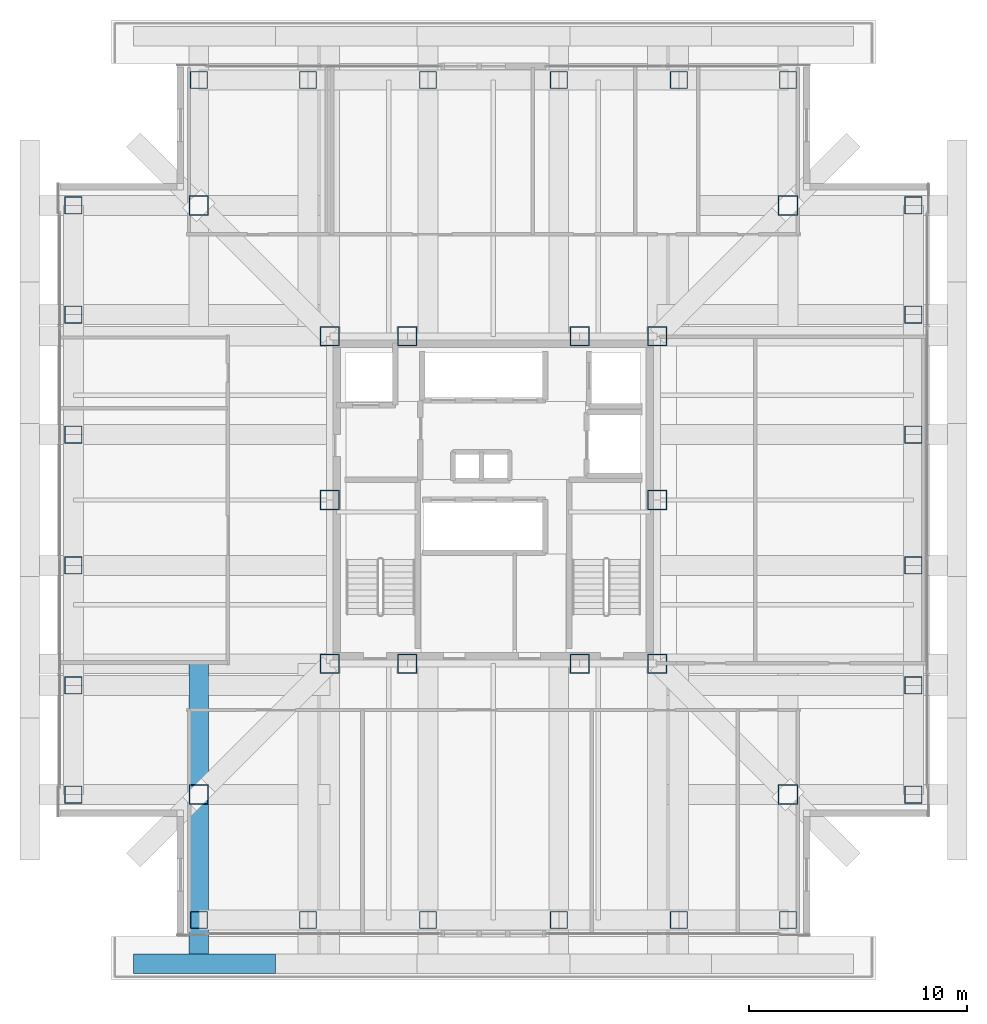
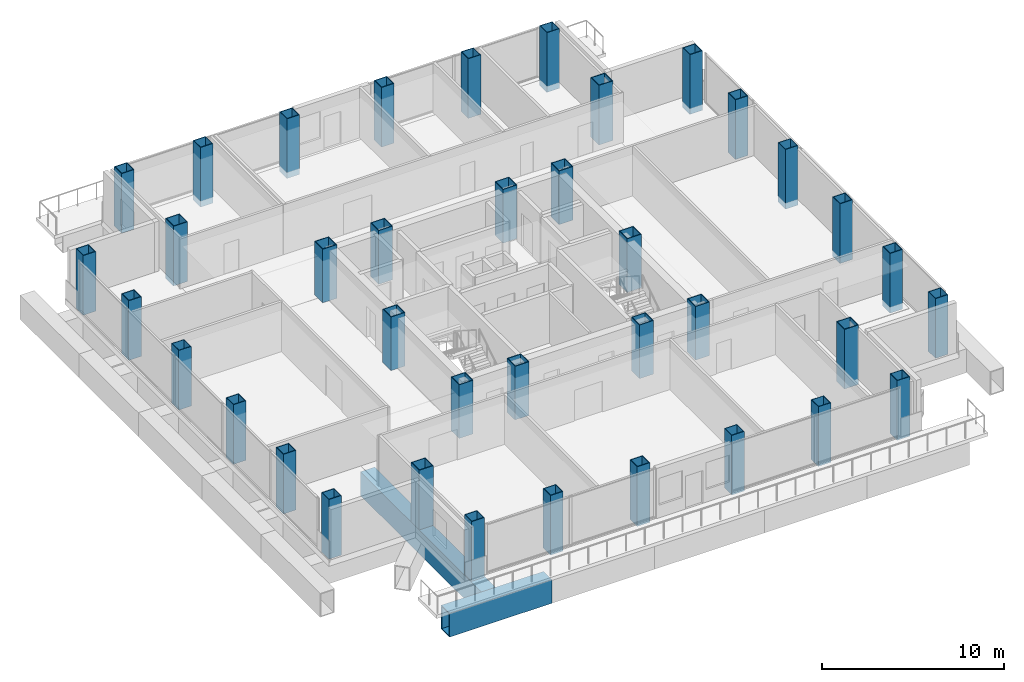
# One storey, part 1 of 14: 38 columns, 2 beams.
"""IFC4 building model written with IfcOpenShell, lengths in metres."""

import ifcopenshell
import ifcopenshell.guid

model = None  # the IFC model being written
_history = None  # IfcOwnerHistory: only IFC2X3 demands one
_inside = {}  # id of a spatial element -> (the spatial element, [elements in it])
_under = {}  # id of a project, library or spatial element -> (it, [spatial elements below it])
_declared = {}  # id of a project -> (the project, [libraries it declares])
_typed = {}  # id of a type object -> (the type object, [elements of that type])
_made_of = {}  # id of a material, layer set ... -> (it, [elements and type objects made of it])


def new_model(schema):
    """Start an empty IFC model of exactly this schema.

    Asked for "IFC4X3", IfcOpenShell would pick the latest addendum, in which some entities
    have other attributes; the version numbers below select the first issue.
    IFC2X3 requires an IfcOwnerHistory on every rooted entity: one is made here for all.
    """
    global model, _history
    if schema == "IFC4X3":
        model = ifcopenshell.file(schema_version=(4, 3, 0, 0))
    else:
        model = ifcopenshell.file(schema=schema)
    _inside.clear()
    _under.clear()
    _declared.clear()
    _typed.clear()
    _made_of.clear()
    _history = None
    if model.schema == "IFC2X3":
        org = make("IfcOrganization", Name="unknown")
        user = make(
            "IfcPersonAndOrganization",
            ThePerson=make("IfcPerson", FamilyName="unknown"),
            TheOrganization=org,
        )
        app = make(
            "IfcApplication",
            ApplicationDeveloper=org,
            Version="unknown",
            ApplicationFullName="unknown",
            ApplicationIdentifier="unknown",
        )
        _history = make(
            "IfcOwnerHistory",
            OwningUser=user,
            OwningApplication=app,
            ChangeAction="ADDED",
            CreationDate=0,
        )
    return model


def make(cls, **values):
    """One entity of the class cls with the attributes given. An attribute that is None is left unset."""
    return model.create_entity(
        cls, **{name: value for name, value in values.items() if value is not None}
    )


def rooted(cls, **values):
    """An entity with a GlobalId (a new one), such as an element, a storey or a relation."""
    return make(cls, GlobalId=ifcopenshell.guid.new(), OwnerHistory=_history, **values)


def si_unit(unit_type, name, prefix=None):
    """IfcSIUnit, for example si_unit("LENGTHUNIT", "METRE", prefix="MILLI")."""
    return make("IfcSIUnit", UnitType=unit_type, Prefix=prefix, Name=name)


def assignment(units):
    """IfcUnitAssignment: the units of a project."""
    return None if units is None else make("IfcUnitAssignment", Units=units)


def point(xyz):
    """IfcCartesianPoint."""
    return None if xyz is None else make("IfcCartesianPoint", Coordinates=xyz)


def direction(xyz):
    """IfcDirection."""
    return None if xyz is None else make("IfcDirection", DirectionRatios=xyz)


def frame(location, z_axis=None, x_axis=None):
    """IfcAxis2Placement3D, a coordinate frame: its origin and axes. An axis left out is left unset."""
    return make(
        "IfcAxis2Placement3D",
        Location=point(location),
        Axis=direction(z_axis),
        RefDirection=direction(x_axis),
    )


def frame_2d(location, x_axis=None):
    """IfcAxis2Placement2D, a coordinate frame in the plane: its origin and x axis."""
    return make(
        "IfcAxis2Placement2D", Location=point(location), RefDirection=direction(x_axis)
    )


def origin():
    """The frame at (0, 0, 0) with its axes left unset."""
    return frame((0.0, 0.0, 0.0))


def origin_2d():
    """The frame at (0, 0) in the plane with its x axis left unset."""
    return frame_2d((0.0, 0.0))


def place(relative_to, where):
    """IfcLocalPlacement: puts the frame where relative to a parent placement (None: the world)."""
    return make(
        "IfcLocalPlacement", PlacementRelTo=relative_to, RelativePlacement=where
    )


def context(
    kind, dimensions, precision=None, world=None, true_north=None, identifier=None
):
    """IfcGeometricRepresentationContext, for example the 3D "Model" context."""
    return make(
        "IfcGeometricRepresentationContext",
        ContextIdentifier=identifier,
        ContextType=kind,
        CoordinateSpaceDimension=dimensions,
        Precision=precision,
        WorldCoordinateSystem=world,
        TrueNorth=true_north,
    )


def subcontext(parent, identifier, kind, view, scale=None):
    """IfcGeometricRepresentationSubContext, for example "Body" below "Model"."""
    return make(
        "IfcGeometricRepresentationSubContext",
        ContextIdentifier=identifier,
        ContextType=kind,
        ParentContext=parent,
        TargetScale=scale,
        TargetView=view,
    )


def project(units=None, contexts=None):
    """IfcProject with its units and contexts."""
    return rooted(
        "IfcProject",
        Name="project",
        RepresentationContexts=contexts,
        UnitsInContext=assignment(units),
    )


def spatial(cls, under=None, at=None, **own):
    """A site, building, storey or space (cls), placed at a placement, below another one or the project."""
    s = rooted(cls, ObjectPlacement=at, **own)
    if under is not None:
        _under.setdefault(under.id(), (under, []))[1].append(s)
    return s


def profile(cls, at=None, kind="AREA", **sizes):
    """A parametric profile (cls). Its sizes go by their IFC names, for example OverallWidth=200.0."""
    return make(cls, ProfileType=kind, Position=at, **sizes)


def hollow_rectangle(**sizes):
    """IfcRectangleHollowProfileDef."""
    return profile("IfcRectangleHollowProfileDef", **sizes)


def extrude(swept, where, along, depth):
    """IfcExtrudedAreaSolid: the profile swept, set in the frame where, extruded along a direction by depth."""
    return make(
        "IfcExtrudedAreaSolid",
        SweptArea=swept,
        Position=where,
        ExtrudedDirection=direction(along),
        Depth=depth,
    )


def shape(context_of_items, identifier, shape_type, items):
    """IfcShapeRepresentation: the items that make up one representation, for example the "Body"."""
    return make(
        "IfcShapeRepresentation",
        ContextOfItems=context_of_items,
        RepresentationIdentifier=identifier,
        RepresentationType=shape_type,
        Items=items,
    )


def material(Name=None, Category=None):
    """IfcMaterial."""
    return make("IfcMaterial", Name=Name, Category=Category)


def material_profile(
    of_material, cross_section, Name=None, Category=None, Priority=None
):
    """IfcMaterialProfile: a cross section and its material."""
    return make(
        "IfcMaterialProfile",
        Name=Name,
        Material=of_material,
        Profile=cross_section,
        Priority=Priority,
        Category=Category,
    )


def profile_set(profiles, Name=None, composite=None):
    """IfcMaterialProfileSet."""
    return make(
        "IfcMaterialProfileSet",
        Name=Name,
        MaterialProfiles=profiles,
        CompositeProfile=composite,
    )


def made_of(thing, what):
    """Note that an element or type object is made of a material, layer set ...; save() writes the relation."""
    if what is not None:
        _made_of.setdefault(what.id(), (what, []))[1].append(thing)
    return thing


def type_object(cls, material=None, **own):
    """A type object (cls), such as IfcWallType, which elements share."""
    return made_of(rooted(cls, **own), material)


def element(
    cls,
    number,
    at=None,
    inside=None,
    cuts=None,
    type_object=None,
    material=None,
    context=None,
    identifier="Body",
    shape_type=None,
    held_by="IfcProductDefinitionShape",
    body=None,
    shapes=None,
    **own,
):
    """One element of the class cls, such as IfcWall. Its Tag is "e" and its number.

    at: its placement. inside: the storey or other place that contains it. cuts: it is an
    opening in that element (IfcRelVoidsElement). A single representation is given by context,
    identifier, shape_type and body (its items); several are given by shapes. held_by: the class
    of the entity that holds the representations. save() writes the other relations.
    """
    e = rooted(cls, Tag="e%d" % number, ObjectPlacement=at, **own)
    if body is not None:
        shapes = [shape(context, identifier, shape_type, body)]
    if shapes is not None:
        e.Representation = make(held_by, Representations=shapes)
    if inside is not None:
        _inside.setdefault(inside.id(), (inside, []))[1].append(e)
    if cuts is not None:
        rooted(
            "IfcRelVoidsElement", RelatingBuildingElement=cuts, RelatedOpeningElement=e
        )
    if type_object is not None:
        _typed.setdefault(type_object.id(), (type_object, []))[1].append(e)
    return made_of(e, material)


def aggregate(whole, parts):
    """IfcRelAggregates: a whole, such as a stair, and the parts it consists of."""
    return rooted("IfcRelAggregates", RelatingObject=whole, RelatedObjects=parts)


def save(model, path):
    """Write the relations noted so far, then the file.

    IfcRelAggregates (storeys below a building ...), IfcRelContainedInSpatialStructure (elements
    in a storey), IfcRelDefinesByType, IfcRelAssociatesMaterial and IfcRelDeclares: one each for
    every whole, place, type object, material and project.
    """
    for whole, parts in _under.values():
        aggregate(whole, parts)
    for where, things in _inside.values():
        rooted(
            "IfcRelContainedInSpatialStructure",
            RelatedElements=things,
            RelatingStructure=where,
        )
    for kind, things in _typed.values():
        rooted("IfcRelDefinesByType", RelatedObjects=things, RelatingType=kind)
    for what, things in _made_of.values():
        rooted("IfcRelAssociatesMaterial", RelatedObjects=things, RelatingMaterial=what)
    for by, libraries in _declared.values():
        rooted("IfcRelDeclares", RelatingContext=by, RelatedDefinitions=libraries)
    model.write(path)


model = new_model("IFC4")

# Units and contexts
model_context = context("Model", 3, precision=1e-05, world=origin(), true_north=direction((0.0, 1.0)))
body_context = subcontext(model_context, "Body", "Model", "MODEL_VIEW")
ifc_project = project(units=[si_unit("LENGTHUNIT", "METRE"), si_unit("AREAUNIT", "SQUARE_METRE"), si_unit("VOLUMEUNIT", "CUBIC_METRE"), si_unit("PLANEANGLEUNIT", "RADIAN"), si_unit("MASSUNIT", "GRAM", prefix="KILO")], contexts=[model_context])

# Site, building, storey
site_placement = place(None, origin())
site = spatial("IfcSite", under=ifc_project, at=site_placement, CompositionType="ELEMENT")
building_placement = place(site_placement, origin())
building = spatial("IfcBuilding", under=site, at=building_placement, Name="Trevonay Congress Spire", CompositionType="ELEMENT")
storey_placement = place(building_placement, frame((0.0, 0.0, 166.199951171875)))
storey = spatial("IfcBuildingStorey", under=building, at=storey_placement, Name="L42", CompositionType="ELEMENT", Elevation=166.199951171875)

# Columns
ifc_material = material(Name="Steel ASTM A572 Grade 50", Category="steel")
ifc_material_profile_1 = material_profile(ifc_material, hollow_rectangle(XDim=0.89990234375, YDim=0.89990234375, WallThickness=0.044921875, at=origin_2d()), Name="BOX 900x900x45")
ifc_profile_set_1 = profile_set([ifc_material_profile_1], Name="Steel ASTM A572 Grade 50")
column_type_1 = type_object("IfcColumnType", Name="COL-CORE-BOX900", PredefinedType="COLUMN", material=ifc_profile_set_1)
for number, where, z_axis, x_axis, name in (
    (1, (-7.5, -7.5, 0.0), (0.0, 0.0, 1.0), (1.0, 0.0, 0.0), "L42 column C04 at CC-SW"),
    (2, (-3.949951171875, -7.5, 0.0), (0.0, 0.0, 1.0), (1.0, 0.0, 0.0), "L42 column C04 at CC-SMW"),
    (3, (3.949951171875, -7.5, 0.0), (0.0, 0.0, 1.0), (1.0, 0.0, 0.0), "L42 column C04 at CC-SME"),
    (4, (7.5, -7.5, 0.0), (0.0, 0.0, 1.0), (1.0, 0.0, 0.0), "L42 column C04 at CC-SE"),
    (5, (7.5, 0.0, 0.0), (0.0, 0.0, 1.0), (1.0, 0.0, 0.0), "L42 column C04 at CC-E"),
    (6, (7.5, 7.5, 0.0), (0.0, 0.0, 1.0), (1.0, 0.0, 0.0), "L42 column C04 at CC-NE"),
    (7, (3.949951171875, 7.5, 0.0), (0.0, 0.0, 1.0), (1.0, 0.0, 0.0), "L42 column C04 at CC-NME"),
    (8, (-3.949951171875, 7.5, 0.0), (0.0, 0.0, 1.0), (1.0, 0.0, 0.0), "L42 column C04 at CC-NMW"),
    (9, (-7.5, 7.5, 0.0), (0.0, 0.0, 1.0), (1.0, 0.0, 0.0), "L42 column C04 at CC-NW"),
    (10, (-7.5, 0.0, 0.0), (0.0, 0.0, 1.0), (1.0, 0.0, 0.0), "L42 column C04 at CC-W"),
):
    element("IfcColumn", number, at=place(storey_placement, frame(where, z_axis=z_axis, x_axis=x_axis)), inside=storey, type_object=column_type_1, Name=name, PredefinedType="COLUMN", context=body_context, shape_type="SweptSolid", body=[
        extrude(hollow_rectangle(XDim=0.89990234375, YDim=0.89990234375, WallThickness=0.044921875, at=origin_2d()), origin(), (0.0, 0.0, 1.0), 3.60009765625),
    ])
ifc_material_profile_2 = material_profile(ifc_material, hollow_rectangle(XDim=0.800048828125, YDim=0.800048828125, WallThickness=0.0400390625, at=origin_2d()), Name="BOX 800x800x40")
ifc_profile_set_2 = profile_set([ifc_material_profile_2], Name="Steel ASTM A572 Grade 50")
column_type_2 = type_object("IfcColumnType", Name="COL-TUBE-BOX800", PredefinedType="COLUMN", material=ifc_profile_set_2)
for number, where, z_axis, x_axis, name in (
    (11, (-13.5, -19.25, -0.39990234375), (0.0, 0.0, 1.0), (1.0, 0.0, 0.0), "L42 column C16 at TS-1"),
    (12, (-13.5, 19.25, -0.39990234375), (0.0, 0.0, 1.0), (1.0, 0.0, 0.0), "L42 column C16 at TN-1"),
    (13, (-19.25, -13.5, -0.39990234375), (0.0, 0.0, 1.0), (1.0, 0.0, 0.0), "L42 column C16 at TW-1"),
    (14, (19.25, -13.5, -0.39990234375), (0.0, 0.0, 1.0), (1.0, 0.0, 0.0), "L42 column C16 at TE-1"),
    (15, (-8.5, -19.25, -0.39990234375), (0.0, 0.0, 1.0), (1.0, 0.0, 0.0), "L42 column C16 at TS-2"),
    (16, (-8.5, 19.25, -0.39990234375), (0.0, 0.0, 1.0), (1.0, 0.0, 0.0), "L42 column C16 at TN-2"),
    (17, (-19.25, -8.5, -0.39990234375), (0.0, 0.0, 1.0), (1.0, 0.0, 0.0), "L42 column C16 at TW-2"),
    (18, (19.25, -8.5, -0.39990234375), (0.0, 0.0, 1.0), (1.0, 0.0, 0.0), "L42 column C16 at TE-2"),
    (19, (-3.0, -19.25, -0.39990234375), (0.0, 0.0, 1.0), (1.0, 0.0, 0.0), "L42 column C16 at TS-3"),
    (20, (-3.0, 19.25, -0.39990234375), (0.0, 0.0, 1.0), (1.0, 0.0, 0.0), "L42 column C16 at TN-3"),
    (21, (-19.25, -3.0, -0.39990234375), (0.0, 0.0, 1.0), (1.0, 0.0, 0.0), "L42 column C16 at TW-3"),
    (22, (19.25, -3.0, -0.39990234375), (0.0, 0.0, 1.0), (1.0, 0.0, 0.0), "L42 column C16 at TE-3"),
    (23, (3.0, -19.25, -0.39990234375), (0.0, 0.0, 1.0), (1.0, 0.0, 0.0), "L42 column C16 at TS-4"),
    (24, (3.0, 19.25, -0.39990234375), (0.0, 0.0, 1.0), (1.0, 0.0, 0.0), "L42 column C16 at TN-4"),
    (25, (-19.25, 3.0, -0.39990234375), (0.0, 0.0, 1.0), (1.0, 0.0, 0.0), "L42 column C16 at TW-4"),
    (26, (19.25, 3.0, -0.39990234375), (0.0, 0.0, 1.0), (1.0, 0.0, 0.0), "L42 column C16 at TE-4"),
    (27, (8.5, -19.25, -0.39990234375), (0.0, 0.0, 1.0), (1.0, 0.0, 0.0), "L42 column C16 at TS-5"),
    (28, (8.5, 19.25, -0.39990234375), (0.0, 0.0, 1.0), (1.0, 0.0, 0.0), "L42 column C16 at TN-5"),
    (29, (-19.25, 8.5, -0.39990234375), (0.0, 0.0, 1.0), (1.0, 0.0, 0.0), "L42 column C16 at TW-5"),
    (30, (19.25, 8.5, -0.39990234375), (0.0, 0.0, 1.0), (1.0, 0.0, 0.0), "L42 column C16 at TE-5"),
    (31, (13.5, -19.25, -0.39990234375), (0.0, 0.0, 1.0), (1.0, 0.0, 0.0), "L42 column C16 at TS-6"),
    (32, (13.5, 19.25, -0.39990234375), (0.0, 0.0, 1.0), (1.0, 0.0, 0.0), "L42 column C16 at TN-6"),
    (33, (-19.25, 13.5, -0.39990234375), (0.0, 0.0, 1.0), (1.0, 0.0, 0.0), "L42 column C16 at TW-6"),
    (34, (19.25, 13.5, -0.39990234375), (0.0, 0.0, 1.0), (1.0, 0.0, 0.0), "L42 column C16 at TE-6"),
):
    element("IfcColumn", number, at=place(storey_placement, frame(where, z_axis=z_axis, x_axis=x_axis)), inside=storey, type_object=column_type_2, Name=name, PredefinedType="COLUMN", context=body_context, shape_type="SweptSolid", body=[
        extrude(hollow_rectangle(XDim=0.800048828125, YDim=0.800048828125, WallThickness=0.0400390625, at=origin_2d()), origin(), (0.0, 0.0, 1.0), 4.0),
    ])
ifc_material_profile_3 = material_profile(ifc_material, hollow_rectangle(XDim=0.89990234375, YDim=0.89990234375, WallThickness=0.044921875, at=origin_2d()), Name="BOX 900x900x45")
ifc_profile_set_3 = profile_set([ifc_material_profile_3], Name="Steel ASTM A572 Grade 50")
column_type_3 = type_object("IfcColumnType", Name="COL-TUBE-BOX900", PredefinedType="COLUMN", material=ifc_profile_set_3)
for number, where, z_axis, x_axis, name in (
    (35, (-13.5, -13.5, -0.39990234375), (0.0, 0.0, 1.0), (1.0, 0.0, 0.0), "L42 column C15 at NC-SW"),
    (36, (13.5, -13.5, -0.39990234375), (0.0, 0.0, 1.0), (1.0, 0.0, 0.0), "L42 column C15 at NC-SE"),
    (37, (13.5, 13.5, -0.39990234375), (0.0, 0.0, 1.0), (1.0, 0.0, 0.0), "L42 column C15 at NC-NE"),
    (38, (-13.5, 13.5, -0.39990234375), (0.0, 0.0, 1.0), (1.0, 0.0, 0.0), "L42 column C15 at NC-NW"),
):
    element("IfcColumn", number, at=place(storey_placement, frame(where, z_axis=z_axis, x_axis=x_axis)), inside=storey, type_object=column_type_3, Name=name, PredefinedType="COLUMN", context=body_context, shape_type="SweptSolid", body=[
        extrude(hollow_rectangle(XDim=0.89990234375, YDim=0.89990234375, WallThickness=0.044921875, at=origin_2d()), origin(), (0.0, 0.0, 1.0), 4.0),
    ])

# Beams
ifc_material_profile_4 = material_profile(ifc_material, hollow_rectangle(XDim=0.89990234375, YDim=1.60009765625, WallThickness=0.06005859375, at=origin_2d()), Name="BOX 1600x900x60")
ifc_profile_set_4 = profile_set([ifc_material_profile_4], Name="Steel ASTM A572 Grade 50")
beam_type_1 = type_object("IfcBeamType", Name="BM-RING-BOX1600", PredefinedType="BEAM", material=ifc_profile_set_4)
beam_1_placement = place(storey_placement, frame((-16.5, -21.25, -1.199951171875), z_axis=(1.0, 0.0, 0.0), x_axis=(0.0, 1.0, 0.0)))
element("IfcBeam", 39, at=beam_1_placement, inside=storey, type_object=beam_type_1, Name="L42 structural beam XOUT-L42-S0", PredefinedType="BEAM", context=body_context, shape_type="SweptSolid", body=[
    extrude(hollow_rectangle(XDim=0.89990234375, YDim=1.60009765625, WallThickness=0.06005859375, at=origin_2d()), origin(), (0.0, 0.0, 1.0), 6.5),
])
ifc_material_profile_5 = material_profile(ifc_material, hollow_rectangle(XDim=0.89990234375, YDim=1.60009765625, WallThickness=0.06005859375, at=origin_2d()), Name="BOX 1600x900x60")
ifc_profile_set_5 = profile_set([ifc_material_profile_5], Name="Steel ASTM A572 Grade 50")
beam_type_2 = type_object("IfcBeamType", Name="BM-XFER-BOX1600", PredefinedType="BEAM", material=ifc_profile_set_5)
beam_2_placement = place(storey_placement, frame((-13.5, -7.5, -1.199951171875), z_axis=(0.0, -1.0, 0.0), x_axis=(1.0, 0.0, 0.0)))
element("IfcBeam", 40, at=beam_2_placement, inside=storey, type_object=beam_type_2, Name="L42 structural beam XFER-L42-S0", PredefinedType="BEAM", context=body_context, shape_type="SweptSolid", body=[
    extrude(hollow_rectangle(XDim=0.89990234375, YDim=1.60009765625, WallThickness=0.06005859375, at=origin_2d()), origin(), (0.0, 0.0, 1.0), 13.75),
])

save(model, "model.ifc")
